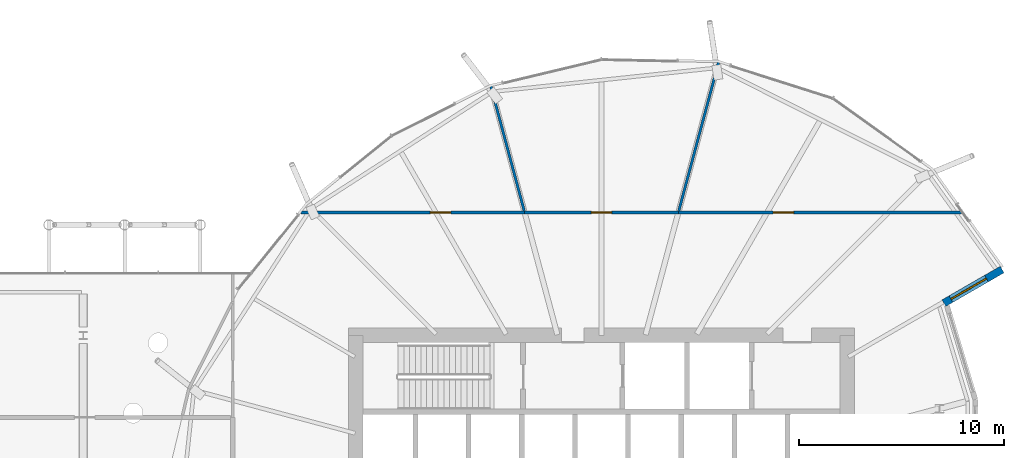
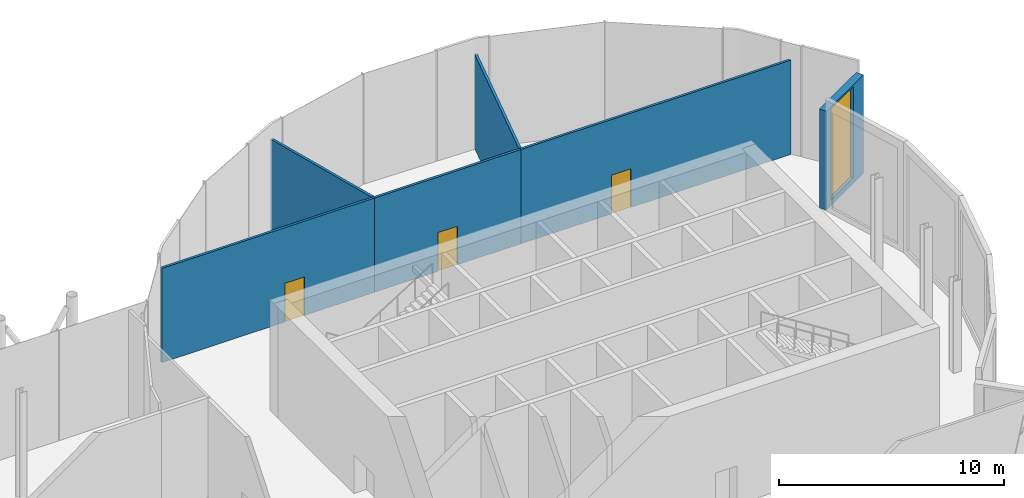
# One storey, part 24 of 38: 6 walls, 3 doors, 1 window, 4 openings.
"""IFC4 building model written with IfcOpenShell, lengths in metres."""

import ifcopenshell
import ifcopenshell.guid

model = None  # the IFC model being written
_history = None  # IfcOwnerHistory: only IFC2X3 demands one
_inside = {}  # id of a spatial element -> (the spatial element, [elements in it])
_under = {}  # id of a project, library or spatial element -> (it, [spatial elements below it])
_declared = {}  # id of a project -> (the project, [libraries it declares])
_typed = {}  # id of a type object -> (the type object, [elements of that type])
_made_of = {}  # id of a material, layer set ... -> (it, [elements and type objects made of it])


def new_model(schema):
    """Start an empty IFC model of exactly this schema.

    Asked for "IFC4X3", IfcOpenShell would pick the latest addendum, in which some entities
    have other attributes; the version numbers below select the first issue.
    IFC2X3 requires an IfcOwnerHistory on every rooted entity: one is made here for all.
    """
    global model, _history
    if schema == "IFC4X3":
        model = ifcopenshell.file(schema_version=(4, 3, 0, 0))
    else:
        model = ifcopenshell.file(schema=schema)
    _inside.clear()
    _under.clear()
    _declared.clear()
    _typed.clear()
    _made_of.clear()
    _history = None
    if model.schema == "IFC2X3":
        org = make("IfcOrganization", Name="unknown")
        user = make(
            "IfcPersonAndOrganization",
            ThePerson=make("IfcPerson", FamilyName="unknown"),
            TheOrganization=org,
        )
        app = make(
            "IfcApplication",
            ApplicationDeveloper=org,
            Version="unknown",
            ApplicationFullName="unknown",
            ApplicationIdentifier="unknown",
        )
        _history = make(
            "IfcOwnerHistory",
            OwningUser=user,
            OwningApplication=app,
            ChangeAction="ADDED",
            CreationDate=0,
        )
    return model


def make(cls, **values):
    """One entity of the class cls with the attributes given. An attribute that is None is left unset."""
    return model.create_entity(
        cls, **{name: value for name, value in values.items() if value is not None}
    )


def rooted(cls, **values):
    """An entity with a GlobalId (a new one), such as an element, a storey or a relation."""
    return make(cls, GlobalId=ifcopenshell.guid.new(), OwnerHistory=_history, **values)


def si_unit(unit_type, name, prefix=None):
    """IfcSIUnit, for example si_unit("LENGTHUNIT", "METRE", prefix="MILLI")."""
    return make("IfcSIUnit", UnitType=unit_type, Prefix=prefix, Name=name)


def assignment(units):
    """IfcUnitAssignment: the units of a project."""
    return None if units is None else make("IfcUnitAssignment", Units=units)


def point(xyz):
    """IfcCartesianPoint."""
    return None if xyz is None else make("IfcCartesianPoint", Coordinates=xyz)


def direction(xyz):
    """IfcDirection."""
    return None if xyz is None else make("IfcDirection", DirectionRatios=xyz)


def frame(location, z_axis=None, x_axis=None):
    """IfcAxis2Placement3D, a coordinate frame: its origin and axes. An axis left out is left unset."""
    return make(
        "IfcAxis2Placement3D",
        Location=point(location),
        Axis=direction(z_axis),
        RefDirection=direction(x_axis),
    )


def frame_2d(location, x_axis=None):
    """IfcAxis2Placement2D, a coordinate frame in the plane: its origin and x axis."""
    return make(
        "IfcAxis2Placement2D", Location=point(location), RefDirection=direction(x_axis)
    )


def origin():
    """The frame at (0, 0, 0) with its axes left unset."""
    return frame((0.0, 0.0, 0.0))


def place(relative_to, where):
    """IfcLocalPlacement: puts the frame where relative to a parent placement (None: the world)."""
    return make(
        "IfcLocalPlacement", PlacementRelTo=relative_to, RelativePlacement=where
    )


def context(
    kind, dimensions, precision=None, world=None, true_north=None, identifier=None
):
    """IfcGeometricRepresentationContext, for example the 3D "Model" context."""
    return make(
        "IfcGeometricRepresentationContext",
        ContextIdentifier=identifier,
        ContextType=kind,
        CoordinateSpaceDimension=dimensions,
        Precision=precision,
        WorldCoordinateSystem=world,
        TrueNorth=true_north,
    )


def subcontext(parent, identifier, kind, view, scale=None):
    """IfcGeometricRepresentationSubContext, for example "Body" below "Model"."""
    return make(
        "IfcGeometricRepresentationSubContext",
        ContextIdentifier=identifier,
        ContextType=kind,
        ParentContext=parent,
        TargetScale=scale,
        TargetView=view,
    )


def project(units=None, contexts=None):
    """IfcProject with its units and contexts."""
    return rooted(
        "IfcProject",
        Name="project",
        RepresentationContexts=contexts,
        UnitsInContext=assignment(units),
    )


def spatial(cls, under=None, at=None, **own):
    """A site, building, storey or space (cls), placed at a placement, below another one or the project."""
    s = rooted(cls, ObjectPlacement=at, **own)
    if under is not None:
        _under.setdefault(under.id(), (under, []))[1].append(s)
    return s


def profile(cls, at=None, kind="AREA", **sizes):
    """A parametric profile (cls). Its sizes go by their IFC names, for example OverallWidth=200.0."""
    return make(cls, ProfileType=kind, Position=at, **sizes)


def rectangle(**sizes):
    """IfcRectangleProfileDef."""
    return profile("IfcRectangleProfileDef", **sizes)


def extrude(swept, where, along, depth):
    """IfcExtrudedAreaSolid: the profile swept, set in the frame where, extruded along a direction by depth."""
    return make(
        "IfcExtrudedAreaSolid",
        SweptArea=swept,
        Position=where,
        ExtrudedDirection=direction(along),
        Depth=depth,
    )


def shape(context_of_items, identifier, shape_type, items):
    """IfcShapeRepresentation: the items that make up one representation, for example the "Body"."""
    return make(
        "IfcShapeRepresentation",
        ContextOfItems=context_of_items,
        RepresentationIdentifier=identifier,
        RepresentationType=shape_type,
        Items=items,
    )


def material(Name=None, Category=None):
    """IfcMaterial."""
    return make("IfcMaterial", Name=Name, Category=Category)


def layer(
    of_material, thickness, ventilated=None, Name=None, Category=None, Priority=None
):
    """IfcMaterialLayer: one layer of a wall or slab, of a material (None: an air gap)."""
    return make(
        "IfcMaterialLayer",
        Material=of_material,
        LayerThickness=thickness,
        IsVentilated=ventilated,
        Name=Name,
        Category=Category,
        Priority=Priority,
    )


def layer_set(layers, Name=None):
    """IfcMaterialLayerSet."""
    return make("IfcMaterialLayerSet", MaterialLayers=layers, LayerSetName=Name)


def made_of(thing, what):
    """Note that an element or type object is made of a material, layer set ...; save() writes the relation."""
    if what is not None:
        _made_of.setdefault(what.id(), (what, []))[1].append(thing)
    return thing


def type_object(cls, material=None, **own):
    """A type object (cls), such as IfcWallType, which elements share."""
    return made_of(rooted(cls, **own), material)


def element(
    cls,
    number,
    at=None,
    inside=None,
    cuts=None,
    type_object=None,
    material=None,
    context=None,
    identifier="Body",
    shape_type=None,
    held_by="IfcProductDefinitionShape",
    body=None,
    shapes=None,
    **own,
):
    """One element of the class cls, such as IfcWall. Its Tag is "e" and its number.

    at: its placement. inside: the storey or other place that contains it. cuts: it is an
    opening in that element (IfcRelVoidsElement). A single representation is given by context,
    identifier, shape_type and body (its items); several are given by shapes. held_by: the class
    of the entity that holds the representations. save() writes the other relations.
    """
    e = rooted(cls, Tag="e%d" % number, ObjectPlacement=at, **own)
    if body is not None:
        shapes = [shape(context, identifier, shape_type, body)]
    if shapes is not None:
        e.Representation = make(held_by, Representations=shapes)
    if inside is not None:
        _inside.setdefault(inside.id(), (inside, []))[1].append(e)
    if cuts is not None:
        rooted(
            "IfcRelVoidsElement", RelatingBuildingElement=cuts, RelatedOpeningElement=e
        )
    if type_object is not None:
        _typed.setdefault(type_object.id(), (type_object, []))[1].append(e)
    return made_of(e, material)


def fill(opening, filler):
    """IfcRelFillsElement: the door or window that sits in an opening."""
    return rooted(
        "IfcRelFillsElement",
        RelatingOpeningElement=opening,
        RelatedBuildingElement=filler,
    )


def aggregate(whole, parts):
    """IfcRelAggregates: a whole, such as a stair, and the parts it consists of."""
    return rooted("IfcRelAggregates", RelatingObject=whole, RelatedObjects=parts)


def save(model, path):
    """Write the relations noted so far, then the file.

    IfcRelAggregates (storeys below a building ...), IfcRelContainedInSpatialStructure (elements
    in a storey), IfcRelDefinesByType, IfcRelAssociatesMaterial and IfcRelDeclares: one each for
    every whole, place, type object, material and project.
    """
    for whole, parts in _under.values():
        aggregate(whole, parts)
    for where, things in _inside.values():
        rooted(
            "IfcRelContainedInSpatialStructure",
            RelatedElements=things,
            RelatingStructure=where,
        )
    for kind, things in _typed.values():
        rooted("IfcRelDefinesByType", RelatedObjects=things, RelatingType=kind)
    for what, things in _made_of.values():
        rooted("IfcRelAssociatesMaterial", RelatedObjects=things, RelatingMaterial=what)
    for by, libraries in _declared.values():
        rooted("IfcRelDeclares", RelatingContext=by, RelatedDefinitions=libraries)
    model.write(path)


model = new_model("IFC4")

# Units and contexts
model_context = context("Model", 3, precision=1e-05, world=origin(), true_north=direction((0.0, 1.0)))
body_context = subcontext(model_context, "Body", "Model", "MODEL_VIEW")
ifc_project = project(units=[si_unit("LENGTHUNIT", "METRE"), si_unit("AREAUNIT", "SQUARE_METRE"), si_unit("VOLUMEUNIT", "CUBIC_METRE"), si_unit("PLANEANGLEUNIT", "RADIAN"), si_unit("MASSUNIT", "GRAM", prefix="KILO")], contexts=[model_context])

# Site, building, storey
site_placement = place(None, origin())
site = spatial("IfcSite", under=ifc_project, at=site_placement, CompositionType="ELEMENT")
building_placement = place(site_placement, origin())
building = spatial("IfcBuilding", under=site, at=building_placement, Name="Rimbun Link Towers", CompositionType="ELEMENT")
storey_placement = place(building_placement, frame((0.0, 0.0, 133.199951171875)))
storey = spatial("IfcBuildingStorey", under=building, at=storey_placement, Name="L32", CompositionType="ELEMENT", Elevation=133.199951171875)

# Wall, opening, window
ifc_material_1 = material(Name="Dark enamelled glass spandrel on insulated aluminium backpan", Category="aluminium")
ifc_layer_1 = layer(ifc_material_1, 0.3701171875)
ifc_layer_set_1 = layer_set([ifc_layer_1], Name="CS dark enamelled spandrel wall 370")
wall_type_1 = type_object("IfcWallType", Name="CS dark enamelled spandrel wall 370", PredefinedType="STANDARD", material=ifc_layer_set_1)
wall_1_placement = place(storey_placement, frame((51.304443359375, 11.214599609375, 0.0), z_axis=(0.0, 0.0, 1.0), x_axis=(-0.866040564224, -0.499973740429, 0.0)))
wall_1 = element("IfcWall", 1, at=wall_1_placement, inside=storey, type_object=wall_type_1, Name="Crease spandrel wall", PredefinedType="STANDARD", context=body_context, shape_type="SweptSolid", body=[
    extrude(rectangle(XDim=3.280029296875, YDim=0.3701171875, at=frame_2d((1.64013671875, 0.0))), origin(), (0.0, 0.0, 1.0), 5.356689453125),
])
opening_1_placement = place(wall_1_placement, frame((0.882080078125, 0.0, 0.300048828125)))
opening_1 = element("IfcOpeningElement", 2, at=opening_1_placement, cuts=wall_1, Name="Opening WR20H495", PredefinedType="OPENING", context=body_context, shape_type="SweptSolid", body=[
    extrude(rectangle(XDim=2.0, YDim=4.949951171875, at=frame_2d((1.0, 2.47509765625))), frame((0.0, 0.195068359375, 0.0), z_axis=(0.0, -1.0, 0.0), x_axis=(1.0, 0.0, 0.0)), (0.0, 0.0, 1.0), 0.39013671875),
])
ifc_material_2 = material(Name="Aluminium framed fixed window, dark tinted low-e glass", Category="aluminium")
window_type = type_object("IfcWindowType", Name="WR ribbon window 2000X4950", PartitioningType="SINGLE_PANEL", PredefinedType="WINDOW", material=ifc_material_2)
window_placement = place(opening_1_placement, origin())
window = element("IfcWindow", 3, at=window_placement, inside=storey, type_object=window_type, Name="Crease ribbon window", OverallHeight=4.949951171875, OverallWidth=2.0, PartitioningType="SINGLE_PANEL", PredefinedType="WINDOW", context=body_context, shape_type="SweptSolid", body=[
    extrude(rectangle(XDim=2.0, YDim=4.949951171875, at=frame_2d((1.0, 2.47509765625))), frame((0.0, 0.030029296875, 0.0), z_axis=(0.0, -1.0, 0.0), x_axis=(1.0, 0.0, 0.0)), (0.0, 0.0, 1.0), 0.06005859375),
])
fill(opening_1, window)

# Wall, opening, door
ifc_material_3 = material(Name="Gypsum board on steel studs", Category="steel")
ifc_layer_2 = layer(ifc_material_3, 0.125)
ifc_layer_set_2 = layer_set([ifc_layer_2], Name="Partition 125 board on studs")
wall_type_2 = type_object("IfcWallType", Name="Partition 125 board on studs", PredefinedType="PARTITIONING", material=ifc_layer_set_2)
wall_2_placement = place(storey_placement, frame((49.338134765625, 14.0, 0.0), z_axis=(0.0, 0.0, 1.0), x_axis=(-1.0, 0.0, 0.0)))
wall_2 = element("IfcWall", 4, at=wall_2_placement, inside=storey, type_object=wall_type_2, Name="TW/PW/L32/034", PredefinedType="PARTITIONING", context=body_context, shape_type="SweptSolid", body=[
    extrude(rectangle(XDim=13.8369140625, YDim=0.125, at=frame_2d((6.91845703125, 0.0))), origin(), (0.0, 0.0, 1.0), 5.115966796875),
])
opening_2_placement = place(wall_2_placement, frame((8.208984375, 0.0, 0.0)))
opening_2 = element("IfcOpeningElement", 5, at=opening_2_placement, cuts=wall_2, Name="Opening TW D32.12", PredefinedType="OPENING", context=body_context, shape_type="SweptSolid", body=[
    extrude(rectangle(XDim=1.0, YDim=2.10009765625, at=frame_2d((0.5, 1.050048828125))), frame((0.0, 0.072509765625, 0.0), z_axis=(0.0, -1.0, 0.0), x_axis=(1.0, 0.0, 0.0)), (0.0, 0.0, 1.0), 0.14501953125),
])
ifc_material_4 = material(Name="Timber door set", Category="wood")
door_type = type_object("IfcDoorType", Name="Door single leaf 1000 x 2100", OperationType="NOTDEFINED", PredefinedType="DOOR", material=ifc_material_4)
door_1_placement = place(opening_2_placement, origin())
door_1 = element("IfcDoor", 6, at=door_1_placement, inside=storey, type_object=door_type, Name="TW/DR/L32/012", OperationType="SINGLE_SWING_LEFT", OverallHeight=2.10009765625, OverallWidth=1.0, PredefinedType="DOOR", context=body_context, shape_type="SweptSolid", body=[
    extrude(rectangle(XDim=1.0, YDim=2.10009765625, at=frame_2d((0.5, 1.050048828125))), frame((0.0, 0.02490234375, 0.0), z_axis=(0.0, -1.0, 0.0), x_axis=(1.0, 0.0, 0.0)), (0.0, 0.0, 1.0), 0.050048828125),
])
fill(opening_2, door_1)

wall_3_placement = place(storey_placement, frame((35.501220703125, 14.0, 0.0), z_axis=(0.0, 0.0, 1.0), x_axis=(-1.0, 0.0, 0.0)))
wall_3 = element("IfcWall", 7, at=wall_3_placement, inside=storey, type_object=wall_type_2, Name="TW/PW/L32/035", PredefinedType="PARTITIONING", context=body_context, shape_type="SweptSolid", body=[
    extrude(rectangle(XDim=7.50244140625, YDim=0.125, at=frame_2d((3.751220703125, 0.0))), origin(), (0.0, 0.0, 1.0), 5.115966796875),
])
opening_3_placement = place(wall_3_placement, frame((3.2509765625, 0.0, 0.0)))
opening_3 = element("IfcOpeningElement", 8, at=opening_3_placement, cuts=wall_3, Name="Opening TW D32.13", PredefinedType="OPENING", context=body_context, shape_type="SweptSolid", body=[
    extrude(rectangle(XDim=1.0, YDim=2.10009765625, at=frame_2d((0.5, 1.050048828125))), frame((0.0, 0.072509765625, 0.0), z_axis=(0.0, -1.0, 0.0), x_axis=(1.0, 0.0, 0.0)), (0.0, 0.0, 1.0), 0.14501953125),
])
door_2_placement = place(opening_3_placement, origin())
door_2 = element("IfcDoor", 9, at=door_2_placement, inside=storey, type_object=door_type, Name="TW/DR/L32/013", OperationType="SINGLE_SWING_RIGHT", OverallHeight=2.10009765625, OverallWidth=1.0, PredefinedType="DOOR", context=body_context, shape_type="SweptSolid", body=[
    extrude(rectangle(XDim=1.0, YDim=2.10009765625, at=frame_2d((0.5, 1.050048828125))), frame((0.0, 0.02490234375, 0.0), z_axis=(0.0, -1.0, 0.0), x_axis=(1.0, 0.0, 0.0)), (0.0, 0.0, 1.0), 0.050048828125),
])
fill(opening_3, door_2)

wall_4_placement = place(storey_placement, frame((27.998779296875, 14.0, 0.0), z_axis=(0.0, 0.0, 1.0), x_axis=(-1.0, 0.0, 0.0)))
wall_4 = element("IfcWall", 10, at=wall_4_placement, inside=storey, type_object=wall_type_2, Name="TW/PW/L32/036", PredefinedType="PARTITIONING", context=body_context, shape_type="SweptSolid", body=[
    extrude(rectangle(XDim=10.90966796875, YDim=0.125, at=frame_2d((5.454833984375, 0.0))), origin(), (0.0, 0.0, 1.0), 5.115966796875),
])
opening_4_placement = place(wall_4_placement, frame((3.60302734375, 0.0, 0.0)))
opening_4 = element("IfcOpeningElement", 11, at=opening_4_placement, cuts=wall_4, Name="Opening TW D32.14", PredefinedType="OPENING", context=body_context, shape_type="SweptSolid", body=[
    extrude(rectangle(XDim=1.0, YDim=2.10009765625, at=frame_2d((0.5, 1.050048828125))), frame((0.0, 0.072509765625, 0.0), z_axis=(0.0, -1.0, 0.0), x_axis=(1.0, 0.0, 0.0)), (0.0, 0.0, 1.0), 0.14501953125),
])
door_3_placement = place(opening_4_placement, origin())
door_3 = element("IfcDoor", 12, at=door_3_placement, inside=storey, type_object=door_type, Name="TW/DR/L32/014", OperationType="SINGLE_SWING_LEFT", OverallHeight=2.10009765625, OverallWidth=1.0, PredefinedType="DOOR", context=body_context, shape_type="SweptSolid", body=[
    extrude(rectangle(XDim=1.0, YDim=2.10009765625, at=frame_2d((0.5, 1.050048828125))), frame((0.0, 0.02490234375, 0.0), z_axis=(0.0, -1.0, 0.0), x_axis=(1.0, 0.0, 0.0)), (0.0, 0.0, 1.0), 0.050048828125),
])
fill(opening_4, door_3)

# Walls
wall_5_placement = place(storey_placement, frame((37.48095703125, 21.38818359375, 0.0), z_axis=(0.0, 0.0, 1.0), x_axis=(-0.258807040158, -0.965929042924, 0.0)))
element("IfcWall", 13, at=wall_5_placement, inside=storey, type_object=wall_type_2, Name="TW/PW/L32/046", PredefinedType="PARTITIONING", context=body_context, shape_type="SweptSolid", body=[
    extrude(rectangle(XDim=7.5673828125, YDim=0.125, at=frame_2d((3.78369140625, 0.0))), origin(), (0.0, 0.0, 1.0), 5.115966796875),
])
wall_6_placement = place(storey_placement, frame((26.33251953125, 20.218017578125, 0.0), z_axis=(0.0, 0.0, 1.0), x_axis=(0.258814803939, -0.965926962696, 0.0)))
element("IfcWall", 14, at=wall_6_placement, inside=storey, type_object=wall_type_2, Name="TW/PW/L32/047", PredefinedType="PARTITIONING", context=body_context, shape_type="SweptSolid", body=[
    extrude(rectangle(XDim=6.35595703125, YDim=0.125, at=frame_2d((3.177978515625, 0.0))), origin(), (0.0, 0.0, 1.0), 5.115966796875),
])

save(model, "model.ifc")
